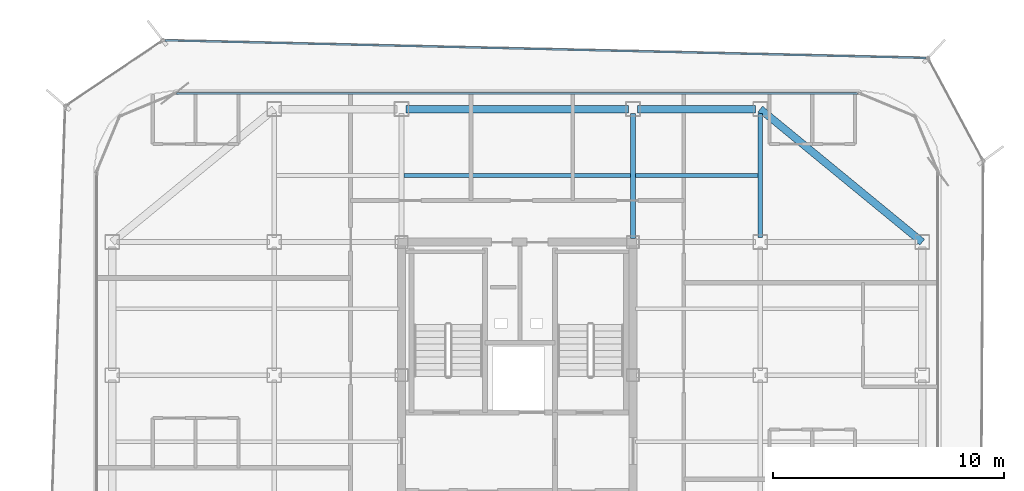
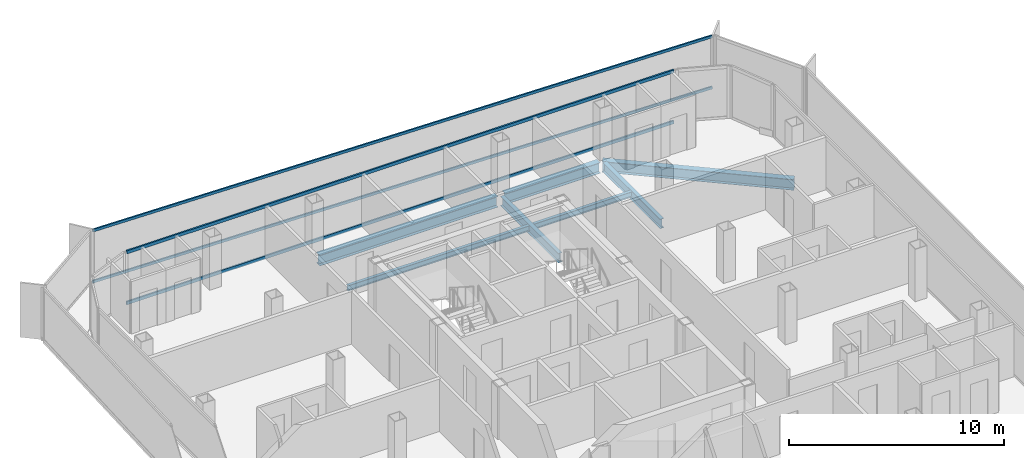
# One storey, part 7 of 16: 7 beams, 4 members, 2 elements without a shape of their own.
"""IFC4 building model written with IfcOpenShell, lengths in metres."""

from ifc_helpers import new_model, si_unit, direction, frame, origin, origin_2d, place, context, subcontext, project, spatial, hollow_rectangle, i_section, extrude, source, transform, mapped, material, layer, layer_set, material_profile, profile_set, type_object, element, aggregate, save


model = new_model("IFC4")

# Units and contexts
model_context = context("Model", 3, precision=1e-05, world=origin(), true_north=direction((0.0, 1.0)))
body_context = subcontext(model_context, "Body", "Model", "MODEL_VIEW")
ifc_project = project(units=[si_unit("LENGTHUNIT", "METRE"), si_unit("AREAUNIT", "SQUARE_METRE"), si_unit("VOLUMEUNIT", "CUBIC_METRE"), si_unit("PLANEANGLEUNIT", "RADIAN"), si_unit("MASSUNIT", "GRAM", prefix="KILO")], contexts=[model_context])

# Site, building, storey
site_placement = place(None, origin())
site = spatial("IfcSite", under=ifc_project, at=site_placement, CompositionType="ELEMENT")
building_placement = place(site_placement, origin())
building = spatial("IfcBuilding", under=site, at=building_placement, Name="Kolveth Station Tower", CompositionType="ELEMENT")
storey_placement = place(building_placement, frame((0.0, 0.0, 232.89990234375)))
storey = spatial("IfcBuildingStorey", under=building, at=storey_placement, Name="L66", CompositionType="ELEMENT", Elevation=232.89990234375)

# Beams
ifc_material_1 = material(Name="Steel S355", Category="steel")
ifc_material_profile_1 = material_profile(ifc_material_1, i_section(OverallWidth=0.323974609375, OverallDepth=0.611083984375, WebThickness=0.0126953125, FlangeThickness=0.01904296875, at=origin_2d()), Name="W610x155")
ifc_profile_set_1 = profile_set([ifc_material_profile_1], Name="Steel S355")
beam_type_1 = type_object("IfcBeamType", Name="Beam_SP2", PredefinedType="SPANDREL", material=ifc_profile_set_1)
shared_shape_1 = source(origin(), body_context, "Body", "SweptSolid", [
    extrude(i_section(OverallWidth=0.323974609375, OverallDepth=0.611083984375, WebThickness=0.0126953125, FlangeThickness=0.01904296875, at=origin_2d()), origin(), (0.0, 0.0, 1.0), 9.058837890625),
])
beam_1_placement = place(storey_placement, frame((41.0, 28.75, -0.525390625), z_axis=(-0.772726254525, 0.63473942336, 0.0), x_axis=(-0.63473942336, -0.772726254525, 0.0)))
element("IfcBeam", 1, at=beam_1_placement, inside=storey, type_object=beam_type_1, Name="L66 Corner Edge Girder BM-L66-CNR-NE", PredefinedType="SPANDREL", context=body_context, shape_type="MappedRepresentation", body=[
    mapped(shared_shape_1, transform((0.0, 0.0, 0.0), x_axis=(1.0, 0.0, 0.0), y_axis=(0.0, 1.0, 0.0), z_axis=(0.0, 0.0, 1.0), scale=1.0)),
])
shared_shape_2 = source(origin(), body_context, "Body", "SweptSolid", [
    extrude(i_section(OverallWidth=0.323974609375, OverallDepth=0.611083984375, WebThickness=0.0126953125, FlangeThickness=0.01904296875, at=origin_2d()), origin(), (0.0, 0.0, 1.0), 5.10009765625),
])
beam_2_placement = place(storey_placement, frame((28.699951171875, 34.5, -0.525390625), z_axis=(1.0, 0.0, 0.0), x_axis=(0.0, 1.0, 0.0)))
element("IfcBeam", 2, at=beam_2_placement, inside=storey, type_object=beam_type_1, Name="L66 Perimeter Spandrel BM-L66-PN-3", PredefinedType="SPANDREL", context=body_context, shape_type="MappedRepresentation", body=[
    mapped(shared_shape_2, transform((0.0, 0.0, 0.0), x_axis=(1.0, 0.0, 0.0), y_axis=(0.0, 1.0, 0.0), z_axis=(0.0, 0.0, 1.0), scale=1.0)),
])
shared_shape_3 = source(origin(), body_context, "Body", "SweptSolid", [
    extrude(i_section(OverallWidth=0.323974609375, OverallDepth=0.611083984375, WebThickness=0.0126953125, FlangeThickness=0.01904296875, at=origin_2d()), origin(), (0.0, 0.0, 1.0), 9.60009765625),
])
beam_3_placement = place(storey_placement, frame((18.699951171875, 34.5, -0.525390625), z_axis=(1.0, 0.0, 0.0), x_axis=(0.0, 1.0, 0.0)))
element("IfcBeam", 3, at=beam_3_placement, inside=storey, type_object=beam_type_1, Name="L66 Perimeter Spandrel BM-L66-PN-2", PredefinedType="SPANDREL", context=body_context, shape_type="MappedRepresentation", body=[
    mapped(shared_shape_3, transform((0.0, 0.0, 0.0), x_axis=(1.0, 0.0, 0.0), y_axis=(0.0, 1.0, 0.0), z_axis=(0.0, 0.0, 1.0), scale=1.0)),
])
ifc_material_profile_2 = material_profile(ifc_material_1, i_section(OverallWidth=0.2099609375, OverallDepth=0.537109375, WebThickness=0.010986328125, FlangeThickness=0.017333984375, at=origin_2d()), Name="W530x101")
ifc_profile_set_2 = profile_set([ifc_material_profile_2], Name="Steel S355")
beam_type_2 = type_object("IfcBeamType", Name="Beam_B6", PredefinedType="BEAM", material=ifc_profile_set_2)
shared_shape_4 = source(origin(), body_context, "Body", "SweptSolid", [
    extrude(i_section(OverallWidth=0.2099609375, OverallDepth=0.537109375, WebThickness=0.010986328125, FlangeThickness=0.017333984375, at=origin_2d()), origin(), (0.0, 0.0, 1.0), 5.35009765625),
])
beam_4_placement = place(storey_placement, frame((34.0, 28.949951171875, -0.48828125), z_axis=(0.0, 1.0, 0.0), x_axis=(-1.0, 0.0, 0.0)))
element("IfcBeam", 4, at=beam_4_placement, inside=storey, type_object=beam_type_2, Name="L66 Primary Girder BM-L66-GX340-6", PredefinedType="BEAM", context=body_context, shape_type="MappedRepresentation", body=[
    mapped(shared_shape_4, transform((0.0, 0.0, 0.0), x_axis=(1.0, 0.0, 0.0), y_axis=(0.0, 1.0, 0.0), z_axis=(0.0, 0.0, 1.0), scale=1.0)),
])
shared_shape_5 = source(origin(), body_context, "Body", "SweptSolid", [
    extrude(i_section(OverallWidth=0.2099609375, OverallDepth=0.537109375, WebThickness=0.010986328125, FlangeThickness=0.017333984375, at=origin_2d()), origin(), (0.0, 0.0, 1.0), 5.39013671875),
])
beam_5_placement = place(storey_placement, frame((28.5, 28.909912109375, -0.48828125), z_axis=(0.0, 1.0, 0.0), x_axis=(-1.0, 0.0, 0.0)))
element("IfcBeam", 5, at=beam_5_placement, inside=storey, type_object=beam_type_2, Name="L66 Primary Girder BM-L66-GX285-6", PredefinedType="BEAM", context=body_context, shape_type="MappedRepresentation", body=[
    mapped(shared_shape_5, transform((0.0, 0.0, 0.0), x_axis=(1.0, 0.0, 0.0), y_axis=(0.0, 1.0, 0.0), z_axis=(0.0, 0.0, 1.0), scale=1.0)),
])
ifc_material_profile_3 = material_profile(ifc_material_1, i_section(OverallWidth=0.1650390625, OverallDepth=0.31005859375, WebThickness=0.005859375, FlangeThickness=0.009765625, at=origin_2d()), Name="W310x39")
ifc_profile_set_3 = profile_set([ifc_material_profile_3], Name="Steel S355")
beam_type_3 = type_object("IfcBeamType", Name="Beam_J3", PredefinedType="JOIST", material=ifc_profile_set_3)
shared_shape_6 = source(origin(), body_context, "Body", "SweptSolid", [
    extrude(i_section(OverallWidth=0.1650390625, OverallDepth=0.31005859375, WebThickness=0.005859375, FlangeThickness=0.009765625, at=origin_2d()), origin(), (0.0, 0.0, 1.0), 5.2939453125),
])
beam_6_placement = place(storey_placement, frame((28.60302734375, 31.625, -0.375), z_axis=(1.0, 0.0, 0.0), x_axis=(0.0, 1.0, 0.0)))
element("IfcBeam", 6, at=beam_6_placement, inside=storey, type_object=beam_type_3, Name="L66 Secondary Joist JST-L66-4-6", PredefinedType="JOIST", context=body_context, shape_type="MappedRepresentation", body=[
    mapped(shared_shape_6, transform((0.0, 0.0, 0.0), x_axis=(1.0, 0.0, 0.0), y_axis=(0.0, 1.0, 0.0), z_axis=(0.0, 0.0, 1.0), scale=1.0)),
])
shared_shape_7 = source(origin(), body_context, "Body", "SweptSolid", [
    extrude(i_section(OverallWidth=0.1650390625, OverallDepth=0.31005859375, WebThickness=0.005859375, FlangeThickness=0.009765625, at=origin_2d()), origin(), (0.0, 0.0, 1.0), 9.7939453125),
])
beam_7_placement = place(storey_placement, frame((18.60302734375, 31.625, -0.375), z_axis=(1.0, 0.0, 0.0), x_axis=(0.0, 1.0, 0.0)))
element("IfcBeam", 7, at=beam_7_placement, inside=storey, type_object=beam_type_3, Name="L66 Secondary Joist JST-L66-3-6", PredefinedType="JOIST", context=body_context, shape_type="MappedRepresentation", body=[
    mapped(shared_shape_7, transform((0.0, 0.0, 0.0), x_axis=(1.0, 0.0, 0.0), y_axis=(0.0, 1.0, 0.0), z_axis=(0.0, 0.0, 1.0), scale=1.0)),
])

# Curtain wall, members
ifc_material_2 = material(Name="Aluminium 6063-T6 and triple low-E dark glass", Category="aluminium")
ifc_layer_1 = layer(ifc_material_2, 0.199951171875)
ifc_layer_set_1 = layer_set([ifc_layer_1], Name="Aluminium 6063-T6 and triple low-E dark glass")
curtain_wall_type_1 = type_object("IfcCurtainWallType", Name="CurtainWall_CW-Z3", PredefinedType="NOTDEFINED", material=ifc_layer_set_1)
curtain_wall_1_placement = place(storey_placement, origin())
curtain_wall_1 = element("IfcCurtainWall", 8, at=curtain_wall_1_placement, inside=storey, type_object=curtain_wall_type_1, Name="L66 Inner Thermal Curtain Wall 6", PredefinedType="NOTDEFINED")
ifc_material_3 = material(Name="Black anodized aluminium 6063-T6", Category="aluminium")
ifc_material_profile_4 = material_profile(ifc_material_3, hollow_rectangle(XDim=0.0849609375, YDim=0.179931640625, WallThickness=0.0048828125, at=origin_2d()), Name="ALU-85x180x5")
ifc_profile_set_4 = profile_set([ifc_material_profile_4], Name="Black anodized aluminium 6063-T6")
member_type_1 = type_object("IfcMemberType", Name="Transom_TR3", PredefinedType="USERDEFINED", material=ifc_profile_set_4)
shared_shape_8 = source(origin(), body_context, "Body", "SweptSolid", [
    extrude(hollow_rectangle(XDim=0.0849609375, YDim=0.179931640625, WallThickness=0.0048828125, at=origin_2d()), origin(), (0.0, 0.0, 1.0), 29.43017578125),
])
member_1_placement = place(storey_placement, frame((38.215087890625, 35.179931640625, 0.04248046875), z_axis=(-1.0, 0.0, 0.0), x_axis=(0.0, -1.0, 0.0)))
member_1 = element("IfcMember", 9, at=member_1_placement, type_object=member_type_1, Name="CW-Z3 transom 1.1", ObjectType="TRANSOM", PredefinedType="USERDEFINED", context=body_context, shape_type="MappedRepresentation", body=[
    mapped(shared_shape_8, transform((0.0, 0.0, 0.0), x_axis=(1.0, 0.0, 0.0), y_axis=(0.0, 1.0, 0.0), z_axis=(0.0, 0.0, 1.0), scale=1.0)),
])
member_2_placement = place(storey_placement, frame((38.215087890625, 35.179931640625, 2.9375), z_axis=(-1.0, 0.0, 0.0), x_axis=(0.0, -1.0, 0.0)))
member_2 = element("IfcMember", 10, at=member_2_placement, type_object=member_type_1, Name="CW-Z3 transom 1.2", ObjectType="TRANSOM", PredefinedType="USERDEFINED", context=body_context, shape_type="MappedRepresentation", body=[
    mapped(shared_shape_8, transform((0.0, 0.0, 0.0), x_axis=(1.0, 0.0, 0.0), y_axis=(0.0, 1.0, 0.0), z_axis=(0.0, 0.0, 1.0), scale=1.0)),
])
aggregate(curtain_wall_1, [member_1, member_2])

ifc_material_4 = material(Name="Black anodized aluminium 6063-T6 and dark solar glass", Category="aluminium")
ifc_layer_2 = layer(ifc_material_4, 0.159912109375)
ifc_layer_set_2 = layer_set([ifc_layer_2], Name="Black anodized aluminium 6063-T6 and dark solar glass")
curtain_wall_type_2 = type_object("IfcCurtainWallType", Name="OUTER SKIN CW-OS", PredefinedType="NOTDEFINED", material=ifc_layer_set_2)
curtain_wall_2_placement = place(storey_placement, origin())
curtain_wall_2 = element("IfcCurtainWall", 11, at=curtain_wall_2_placement, inside=storey, type_object=curtain_wall_type_2, Name="L66 Outer Ventilated Skin Curtain Wall 4", PredefinedType="NOTDEFINED")
ifc_material_profile_5 = material_profile(ifc_material_3, hollow_rectangle(XDim=0.080078125, YDim=0.14990234375, WallThickness=0.0048828125, at=origin_2d()), Name="ALU-80x150x5")
ifc_profile_set_5 = profile_set([ifc_material_profile_5], Name="Black anodized aluminium 6063-T6")
member_type_2 = type_object("IfcMemberType", Name="Transom_TR-OS", PredefinedType="USERDEFINED", material=ifc_profile_set_5)
shared_shape_9 = source(origin(), body_context, "Body", "SweptSolid", [
    extrude(hollow_rectangle(XDim=0.080078125, YDim=0.14990234375, WallThickness=0.0048828125, at=origin_2d()), origin(), (0.0, 0.0, 1.0), 32.892822265625),
])
member_3_placement = place(storey_placement, frame((41.159912109375, 36.70947265625, 0.0400390625), z_axis=(-0.999732857421, 0.023113065401, 0.0), x_axis=(-0.023113065401, -0.999732857421, 0.0)))
member_3 = element("IfcMember", 12, at=member_3_placement, type_object=member_type_2, Name="CW-OS transom 1.1", ObjectType="TRANSOM", PredefinedType="USERDEFINED", context=body_context, shape_type="MappedRepresentation", body=[
    mapped(shared_shape_9, transform((0.0, 0.0, 0.0), x_axis=(1.0, 0.0, 0.0), y_axis=(0.0, 1.0, 0.0), z_axis=(0.0, 0.0, 1.0), scale=1.0)),
])
member_4_placement = place(storey_placement, frame((41.159912109375, 36.70947265625, 2.9501953125), z_axis=(-0.999732857421, 0.023113065401, 0.0), x_axis=(-0.023113065401, -0.999732857421, 0.0)))
member_4 = element("IfcMember", 13, at=member_4_placement, type_object=member_type_2, Name="CW-OS transom 1.2", ObjectType="TRANSOM", PredefinedType="USERDEFINED", context=body_context, shape_type="MappedRepresentation", body=[
    mapped(shared_shape_9, transform((0.0, 0.0, 0.0), x_axis=(1.0, 0.0, 0.0), y_axis=(0.0, 1.0, 0.0), z_axis=(0.0, 0.0, 1.0), scale=1.0)),
])
aggregate(curtain_wall_2, [member_3, member_4])

save(model, "model.ifc")
